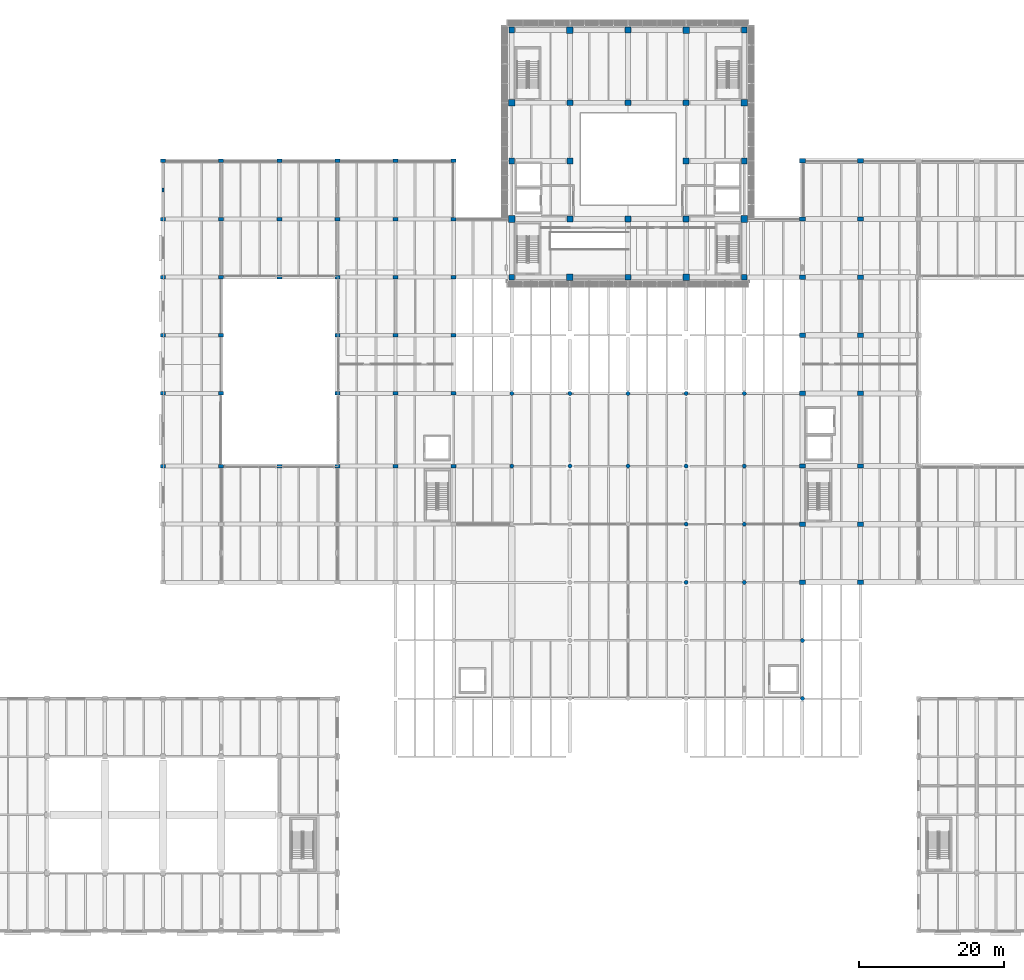
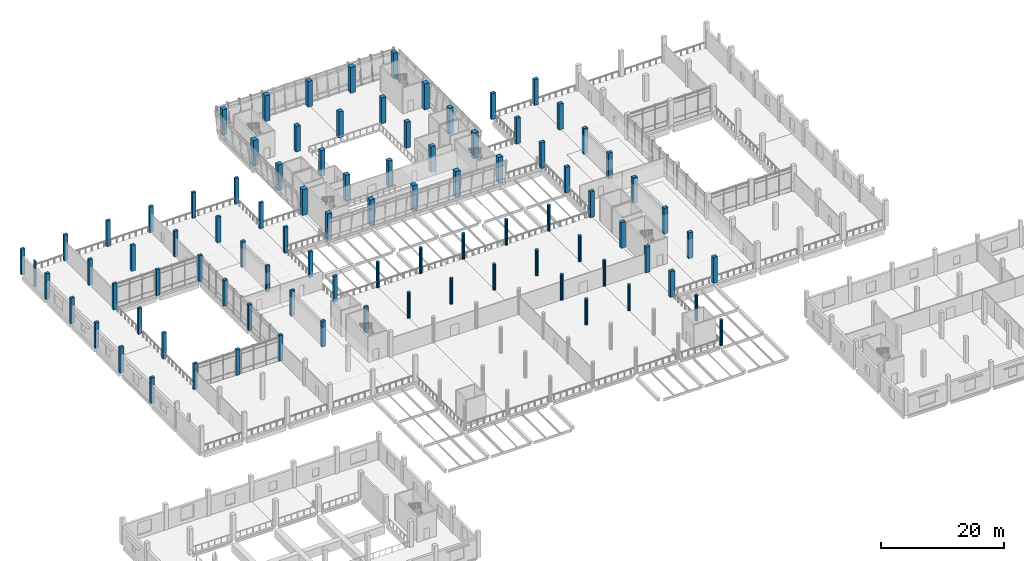
# One storey, part 2 of 61: 91 columns.
"""IFC4 building model written with IfcOpenShell, lengths in metres."""

from ifc_helpers import new_model, si_unit, direction, frame, origin, origin_2d, place, context, subcontext, project, spatial, rectangle, circle, extrude, material, material_profile, profile_set, type_object, element, save


model = new_model("IFC4")

# Units and contexts
model_context = context("Model", 3, precision=1e-05, world=origin(), true_north=direction((0.0, 1.0)))
body_context = subcontext(model_context, "Body", "Model", "MODEL_VIEW")
ifc_project = project(units=[si_unit("LENGTHUNIT", "METRE"), si_unit("AREAUNIT", "SQUARE_METRE"), si_unit("VOLUMEUNIT", "CUBIC_METRE"), si_unit("PLANEANGLEUNIT", "RADIAN"), si_unit("MASSUNIT", "GRAM", prefix="KILO")], contexts=[model_context])

# Site, building, storey
site_placement = place(None, origin())
site = spatial("IfcSite", under=ifc_project, at=site_placement, CompositionType="ELEMENT")
building_placement = place(site_placement, origin())
building = spatial("IfcBuilding", under=site, at=building_placement, Name="Pecanmere Concourse Central Library", CompositionType="ELEMENT")
storey_placement = place(building_placement, frame((0.0, 0.0, 5.39990234375)))
storey = spatial("IfcBuildingStorey", under=building, at=storey_placement, Name="L02", CompositionType="ELEMENT", Elevation=5.39990234375)

# Columns
ifc_material_1 = material(Name="Concrete C40/50", Category="concrete")
ifc_material_profile_1 = material_profile(ifc_material_1, circle(Radius=0.280029296875, at=origin_2d()), Name="RC D560")
ifc_profile_set_1 = profile_set([ifc_material_profile_1], Name="Concrete C40/50")
column_type_1 = type_object("IfcColumnType", Name="COL_CIRC_560", PredefinedType="COLUMN", material=ifc_profile_set_1)
for number, where, z_axis, x_axis, name in (
    (1, (72.0, 64.0, 0.0), (0.0, 0.0, 1.0), (1.0, 0.0, 0.0), "Column CC-08 L02-084"),
    (2, (72.0, 74.0, 0.0), (0.0, 0.0, 1.0), (1.0, 0.0, 0.0), "Column CC-08 L02-085"),
    (3, (80.0, 64.0, 0.0), (0.0, 0.0, 1.0), (1.0, 0.0, 0.0), "Column CC-08 L02-095"),
    (4, (80.0, 74.0, 0.0), (0.0, 0.0, 1.0), (1.0, 0.0, 0.0), "Column CC-08 L02-096"),
    (5, (88.0, 64.0, 0.0), (0.0, 0.0, 1.0), (1.0, 0.0, 0.0), "Column CC-08 L02-106"),
    (6, (88.0, 74.0, 0.0), (0.0, 0.0, 1.0), (1.0, 0.0, 0.0), "Column CC-08 L02-107"),
    (7, (96.0, 48.0, 0.0), (0.0, 0.0, 1.0), (1.0, 0.0, 0.0), "Column CC-08 L02-114"),
    (8, (96.0, 56.0, 0.0), (0.0, 0.0, 1.0), (1.0, 0.0, 0.0), "Column CC-08 L02-115"),
    (9, (96.0, 64.0, 0.0), (0.0, 0.0, 1.0), (1.0, 0.0, 0.0), "Column CC-08 L02-116"),
    (10, (96.0, 74.0, 0.0), (0.0, 0.0, 1.0), (1.0, 0.0, 0.0), "Column CC-08 L02-117"),
    (11, (104.0, 48.0, 0.0), (0.0, 0.0, 1.0), (1.0, 0.0, 0.0), "Column CC-08 L02-125"),
    (12, (104.0, 56.0, 0.0), (0.0, 0.0, 1.0), (1.0, 0.0, 0.0), "Column CC-08 L02-126"),
    (13, (104.0, 64.0, 0.0), (0.0, 0.0, 1.0), (1.0, 0.0, 0.0), "Column CC-08 L02-127"),
    (14, (104.0, 74.0, 0.0), (0.0, 0.0, 1.0), (1.0, 0.0, 0.0), "Column CC-08 L02-128"),
    (15, (112.0, 32.0, 0.0), (0.0, 0.0, 1.0), (1.0, 0.0, 0.0), "Column CC-08 L02-134"),
    (16, (112.0, 40.0, 0.0), (0.0, 0.0, 1.0), (1.0, 0.0, 0.0), "Column CC-08 L02-135"),
):
    element("IfcColumn", number, at=place(storey_placement, frame(where, z_axis=z_axis, x_axis=x_axis)), inside=storey, type_object=column_type_1, Name=name, PredefinedType="COLUMN", context=body_context, shape_type="SweptSolid", body=[
        extrude(circle(Radius=0.280029296875, at=origin_2d()), origin(), (0.0, 0.0, 1.0), 5.10009765625),
    ])
ifc_material_2 = material(Name="Concrete C40/50", Category="concrete")
ifc_material_profile_2 = material_profile(ifc_material_2, rectangle(XDim=0.679931640625, YDim=0.47998046875, at=origin_2d()), Name="RC 680x480")
ifc_profile_set_2 = profile_set([ifc_material_profile_2], Name="Concrete C40/50")
column_type_2 = type_object("IfcColumnType", Name="COL_RC_680x480", PredefinedType="COLUMN", material=ifc_profile_set_2)
for number, where, z_axis, x_axis, name in (
    (17, (24.0, 64.0, 0.0), (0.0, 0.0, 1.0), (1.0, 0.0, 0.0), "Column C-17 L02-021"),
    (18, (24.0, 74.0, 0.0), (0.0, 0.0, 1.0), (1.0, 0.0, 0.0), "Column C-17 L02-022"),
    (19, (24.0, 82.0, 0.0), (0.0, 0.0, 1.0), (1.0, 0.0, 0.0), "Column C-17 L02-023"),
    (20, (24.0, 90.0, 0.0), (0.0, 0.0, 1.0), (1.0, 0.0, 0.0), "Column C-17 L02-024"),
    (21, (24.0, 98.0, 0.0), (0.0, 0.0, 1.0), (1.0, 0.0, 0.0), "Column C-17 L02-025"),
    (22, (24.0, 106.0, 0.0), (0.0, 0.0, 1.0), (1.0, 0.0, 0.0), "Column C-17 L02-026"),
    (23, (32.0, 64.0, 0.0), (0.0, 0.0, 1.0), (1.0, 0.0, 0.0), "Column C-17 L02-033"),
    (24, (32.0, 74.0, 0.0), (0.0, 0.0, 1.0), (1.0, 0.0, 0.0), "Column C-17 L02-034"),
    (25, (32.0, 82.0, 0.0), (0.0, 0.0, 1.0), (1.0, 0.0, 0.0), "Column C-17 L02-035"),
    (26, (32.0, 90.0, 0.0), (0.0, 0.0, 1.0), (1.0, 0.0, 0.0), "Column C-17 L02-036"),
    (27, (32.0, 98.0, 0.0), (0.0, 0.0, 1.0), (1.0, 0.0, 0.0), "Column C-17 L02-037"),
    (28, (32.0, 106.0, 0.0), (0.0, 0.0, 1.0), (1.0, 0.0, 0.0), "Column C-17 L02-038"),
    (29, (40.0, 64.0, 0.0), (0.0, 0.0, 1.0), (1.0, 0.0, 0.0), "Column C-17 L02-046"),
    (30, (40.0, 90.0, 0.0), (0.0, 0.0, 1.0), (1.0, 0.0, 0.0), "Column C-17 L02-047"),
    (31, (40.0, 98.0, 0.0), (0.0, 0.0, 1.0), (1.0, 0.0, 0.0), "Column C-17 L02-048"),
    (32, (40.0, 106.0, 0.0), (0.0, 0.0, 1.0), (1.0, 0.0, 0.0), "Column C-17 L02-049"),
    (33, (48.0, 64.0, 0.0), (0.0, 0.0, 1.0), (1.0, 0.0, 0.0), "Column C-17 L02-057"),
    (34, (48.0, 74.0, 0.0), (0.0, 0.0, 1.0), (1.0, 0.0, 0.0), "Column C-17 L02-058"),
    (35, (48.0, 82.0, 0.0), (0.0, 0.0, 1.0), (1.0, 0.0, 0.0), "Column C-17 L02-059"),
    (36, (48.0, 90.0, 0.0), (0.0, 0.0, 1.0), (1.0, 0.0, 0.0), "Column C-17 L02-060"),
    (37, (48.0, 98.0, 0.0), (0.0, 0.0, 1.0), (1.0, 0.0, 0.0), "Column C-17 L02-061"),
    (38, (48.0, 106.0, 0.0), (0.0, 0.0, 1.0), (1.0, 0.0, 0.0), "Column C-17 L02-062"),
    (39, (56.0, 64.0, 0.0), (0.0, 0.0, 1.0), (1.0, 0.0, 0.0), "Column C-17 L02-065"),
    (40, (56.0, 74.0, 0.0), (0.0, 0.0, 1.0), (1.0, 0.0, 0.0), "Column C-17 L02-066"),
    (41, (56.0, 82.0, 0.0), (0.0, 0.0, 1.0), (1.0, 0.0, 0.0), "Column C-17 L02-067"),
    (42, (56.0, 90.0, 0.0), (0.0, 0.0, 1.0), (1.0, 0.0, 0.0), "Column C-17 L02-068"),
    (43, (56.0, 98.0, 0.0), (0.0, 0.0, 1.0), (1.0, 0.0, 0.0), "Column C-17 L02-069"),
    (44, (56.0, 106.0, 0.0), (0.0, 0.0, 1.0), (1.0, 0.0, 0.0), "Column C-17 L02-070"),
    (45, (64.0, 64.0, 0.0), (0.0, 0.0, 1.0), (1.0, 0.0, 0.0), "Column C-17 L02-075"),
    (46, (64.0, 74.0, 0.0), (0.0, 0.0, 1.0), (1.0, 0.0, 0.0), "Column C-17 L02-076"),
    (47, (64.0, 82.0, 0.0), (0.0, 0.0, 1.0), (1.0, 0.0, 0.0), "Column C-17 L02-077"),
    (48, (64.0, 90.0, 0.0), (0.0, 0.0, 1.0), (1.0, 0.0, 0.0), "Column C-17 L02-078"),
    (49, (64.0, 98.0, 0.0), (0.0, 0.0, 1.0), (1.0, 0.0, 0.0), "Column C-17 L02-079"),
    (50, (64.0, 106.0, 0.0), (0.0, 0.0, 1.0), (1.0, 0.0, 0.0), "Column C-17 L02-080"),
):
    element("IfcColumn", number, at=place(storey_placement, frame(where, z_axis=z_axis, x_axis=x_axis)), inside=storey, type_object=column_type_2, Name=name, PredefinedType="COLUMN", context=body_context, shape_type="SweptSolid", body=[
        extrude(rectangle(XDim=0.679931640625, YDim=0.47998046875, at=origin_2d()), origin(), (0.0, 0.0, 1.0), 5.10009765625),
    ])
ifc_material_3 = material(Name="Concrete C40/50", Category="concrete")
ifc_material_profile_3 = material_profile(ifc_material_3, rectangle(XDim=0.800048828125, YDim=0.60009765625, at=origin_2d()), Name="RC 800x600")
ifc_profile_set_3 = profile_set([ifc_material_profile_3], Name="Concrete C40/50")
column_type_3 = type_object("IfcColumnType", Name="COL_RC_800x600", PredefinedType="COLUMN", material=ifc_profile_set_3)
for number, where, z_axis, x_axis, name in (
    (51, (112.0, 48.0, 0.0), (0.0, 0.0, 1.0), (1.0, 0.0, 0.0), "Column C-15 L02-136"),
    (52, (112.0, 56.0, 0.0), (0.0, 0.0, 1.0), (1.0, 0.0, 0.0), "Column C-15 L02-137"),
    (53, (112.0, 64.0, 0.0), (0.0, 0.0, 1.0), (1.0, 0.0, 0.0), "Column C-15 L02-138"),
    (54, (112.0, 74.0, 0.0), (0.0, 0.0, 1.0), (1.0, 0.0, 0.0), "Column C-15 L02-139"),
    (55, (112.0, 82.0, 0.0), (0.0, 0.0, 1.0), (1.0, 0.0, 0.0), "Column C-15 L02-140"),
    (56, (112.0, 90.0, 0.0), (0.0, 0.0, 1.0), (1.0, 0.0, 0.0), "Column C-15 L02-141"),
    (57, (112.0, 98.0, 0.0), (0.0, 0.0, 1.0), (1.0, 0.0, 0.0), "Column C-15 L02-142"),
    (58, (112.0, 106.0, 0.0), (0.0, 0.0, 1.0), (1.0, 0.0, 0.0), "Column C-15 L02-143"),
    (59, (120.0, 48.0, 0.0), (0.0, 0.0, 1.0), (1.0, 0.0, 0.0), "Column C-15 L02-144"),
    (60, (120.0, 56.0, 0.0), (0.0, 0.0, 1.0), (1.0, 0.0, 0.0), "Column C-15 L02-145"),
    (61, (120.0, 64.0, 0.0), (0.0, 0.0, 1.0), (1.0, 0.0, 0.0), "Column C-15 L02-146"),
    (62, (120.0, 74.0, 0.0), (0.0, 0.0, 1.0), (1.0, 0.0, 0.0), "Column C-15 L02-147"),
    (63, (120.0, 82.0, 0.0), (0.0, 0.0, 1.0), (1.0, 0.0, 0.0), "Column C-15 L02-148"),
    (64, (120.0, 90.0, 0.0), (0.0, 0.0, 1.0), (1.0, 0.0, 0.0), "Column C-15 L02-149"),
    (65, (120.0, 98.0, 0.0), (0.0, 0.0, 1.0), (1.0, 0.0, 0.0), "Column C-15 L02-150"),
    (66, (120.0, 106.0, 0.0), (0.0, 0.0, 1.0), (1.0, 0.0, 0.0), "Column C-15 L02-151"),
):
    element("IfcColumn", number, at=place(storey_placement, frame(where, z_axis=z_axis, x_axis=x_axis)), inside=storey, type_object=column_type_3, Name=name, PredefinedType="COLUMN", context=body_context, shape_type="SweptSolid", body=[
        extrude(rectangle(XDim=0.800048828125, YDim=0.60009765625, at=origin_2d()), origin(), (0.0, 0.0, 1.0), 5.10009765625),
    ])
ifc_material_4 = material(Name="Concrete C40/50", Category="concrete")
ifc_material_profile_4 = material_profile(ifc_material_4, rectangle(XDim=0.800048828125, YDim=0.800048828125, at=origin_2d()), Name="RC 800x800")
ifc_profile_set_4 = profile_set([ifc_material_profile_4], Name="Concrete C40/50")
column_type_4 = type_object("IfcColumnType", Name="COL_RC_800x800", PredefinedType="COLUMN", material=ifc_profile_set_4)
for number, where, z_axis, x_axis, name in (
    (67, (72.0, 90.0, 0.0), (0.0, 0.0, 1.0), (1.0, 0.0, 0.0), "Column C-04 L02-086"),
    (68, (72.0, 106.0, 0.0), (0.0, 0.0, 1.0), (1.0, 0.0, 0.0), "Column C-04 L02-088"),
    (69, (72.0, 124.0, 0.0), (0.0, 0.0, 1.0), (1.0, 0.0, 0.0), "Column C-04 L02-090"),
    (70, (80.0, 98.0, 0.0), (0.0, 0.0, 1.0), (1.0, 0.0, 0.0), "Column C-04 L02-098"),
    (71, (80.0, 106.0, 0.0), (0.0, 0.0, 1.0), (1.0, 0.0, 0.0), "Column C-04 L02-099"),
    (72, (80.0, 114.0, 0.0), (0.0, 0.0, 1.0), (1.0, 0.0, 0.0), "Column C-04 L02-100"),
    (73, (88.0, 90.0, 0.0), (0.0, 0.0, 1.0), (1.0, 0.0, 0.0), "Column C-04 L02-108"),
    (74, (88.0, 98.0, 0.0), (0.0, 0.0, 1.0), (1.0, 0.0, 0.0), "Column C-04 L02-109"),
    (75, (88.0, 114.0, 0.0), (0.0, 0.0, 1.0), (1.0, 0.0, 0.0), "Column C-04 L02-110"),
    (76, (88.0, 124.0, 0.0), (0.0, 0.0, 1.0), (1.0, 0.0, 0.0), "Column C-04 L02-111"),
    (77, (96.0, 98.0, 0.0), (0.0, 0.0, 1.0), (1.0, 0.0, 0.0), "Column C-04 L02-119"),
    (78, (96.0, 106.0, 0.0), (0.0, 0.0, 1.0), (1.0, 0.0, 0.0), "Column C-04 L02-120"),
    (79, (96.0, 114.0, 0.0), (0.0, 0.0, 1.0), (1.0, 0.0, 0.0), "Column C-04 L02-121"),
    (80, (104.0, 90.0, 0.0), (0.0, 0.0, 1.0), (1.0, 0.0, 0.0), "Column C-04 L02-129"),
    (81, (104.0, 106.0, 0.0), (0.0, 0.0, 1.0), (1.0, 0.0, 0.0), "Column C-04 L02-131"),
    (82, (104.0, 124.0, 0.0), (0.0, 0.0, 1.0), (1.0, 0.0, 0.0), "Column C-04 L02-133"),
):
    element("IfcColumn", number, at=place(storey_placement, frame(where, z_axis=z_axis, x_axis=x_axis)), inside=storey, type_object=column_type_4, Name=name, PredefinedType="COLUMN", context=body_context, shape_type="SweptSolid", body=[
        extrude(rectangle(XDim=0.800048828125, YDim=0.800048828125, at=origin_2d()), origin(), (0.0, 0.0, 1.0), 5.10009765625),
    ])
ifc_material_5 = material(Name="Concrete C40/50", Category="concrete")
ifc_material_profile_5 = material_profile(ifc_material_5, rectangle(XDim=0.919921875, YDim=0.919921875, at=origin_2d()), Name="RC 920x920")
ifc_profile_set_5 = profile_set([ifc_material_profile_5], Name="Concrete C40/50")
column_type_5 = type_object("IfcColumnType", Name="COL_RC_920x920", PredefinedType="COLUMN", material=ifc_profile_set_5)
for number, where, z_axis, x_axis, name in (
    (83, (72.0, 98.0, 0.0), (0.0, 0.0, 1.0), (1.0, 0.0, 0.0), "Column C-02 L02-087"),
    (84, (72.0, 114.0, 0.0), (0.0, 0.0, 1.0), (1.0, 0.0, 0.0), "Column C-02 L02-089"),
    (85, (80.0, 90.0, 0.0), (0.0, 0.0, 1.0), (1.0, 0.0, 0.0), "Column C-02 L02-097"),
    (86, (80.0, 124.0, 0.0), (0.0, 0.0, 1.0), (1.0, 0.0, 0.0), "Column C-02 L02-101"),
    (87, (96.0, 90.0, 0.0), (0.0, 0.0, 1.0), (1.0, 0.0, 0.0), "Column C-02 L02-118"),
    (88, (96.0, 124.0, 0.0), (0.0, 0.0, 1.0), (1.0, 0.0, 0.0), "Column C-02 L02-122"),
    (89, (104.0, 98.0, 0.0), (0.0, 0.0, 1.0), (1.0, 0.0, 0.0), "Column C-02 L02-130"),
    (90, (104.0, 114.0, 0.0), (0.0, 0.0, 1.0), (1.0, 0.0, 0.0), "Column C-02 L02-132"),
):
    element("IfcColumn", number, at=place(storey_placement, frame(where, z_axis=z_axis, x_axis=x_axis)), inside=storey, type_object=column_type_5, Name=name, PredefinedType="COLUMN", context=body_context, shape_type="SweptSolid", body=[
        extrude(rectangle(XDim=0.919921875, YDim=0.919921875, at=origin_2d()), origin(), (0.0, 0.0, 1.0), 5.10009765625),
    ])
ifc_material_6 = material(Name="Precast concrete C40/50", Category="concrete")
ifc_material_profile_6 = material_profile(ifc_material_6, rectangle(XDim=0.56005859375, YDim=0.280029296875, at=origin_2d()), Name="RC 560x280")
ifc_profile_set_6 = profile_set([ifc_material_profile_6], Name="Precast concrete C40/50")
column_type_6 = type_object("IfcColumnType", Name="PIL_560x280", PredefinedType="PILASTER", material=ifc_profile_set_6)
column_placement = place(storey_placement, frame((24.0, 102.0, 0.0), z_axis=(0.0, 0.0, 1.0), x_axis=(0.0, 1.0, 0.0)))
element("IfcColumn", 91, at=column_placement, inside=storey, type_object=column_type_6, Name="Classical Limestone Pilaster L02-02", PredefinedType="PILASTER", context=body_context, shape_type="SweptSolid", body=[
    extrude(rectangle(XDim=0.56005859375, YDim=0.280029296875, at=origin_2d()), origin(), (0.0, 0.0, 1.0), 5.10009765625),
])

save(model, "model.ifc")
